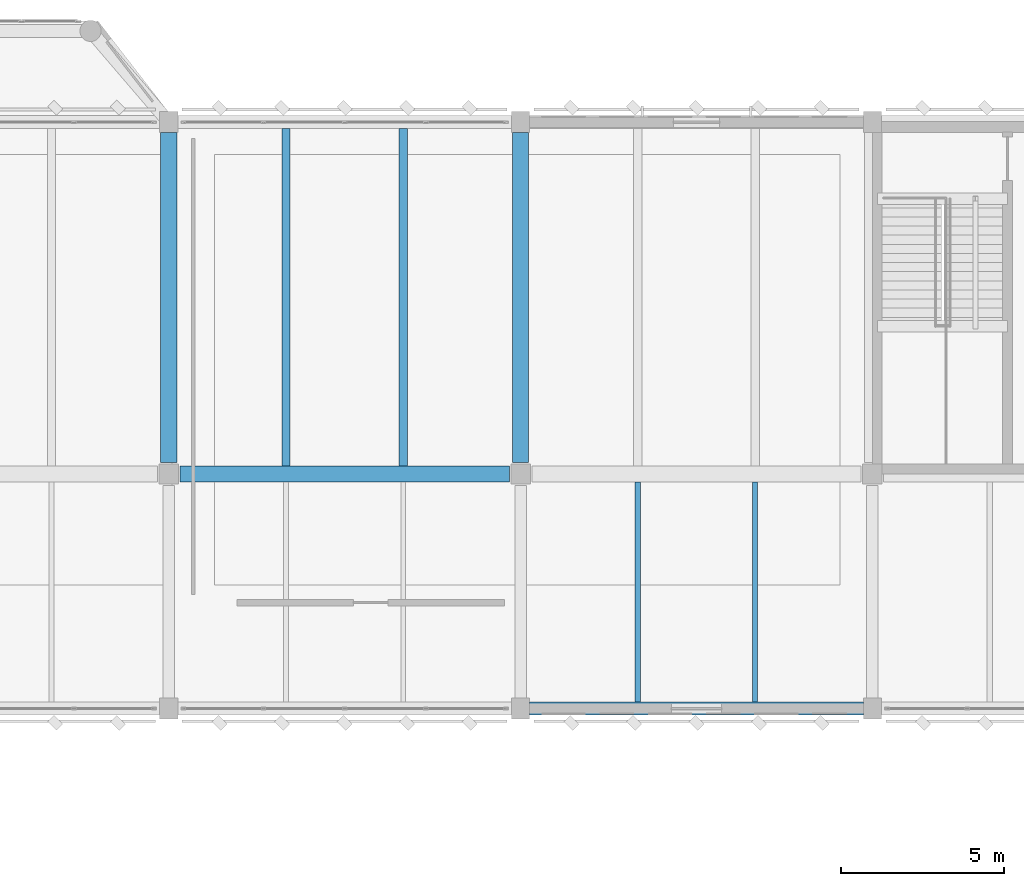
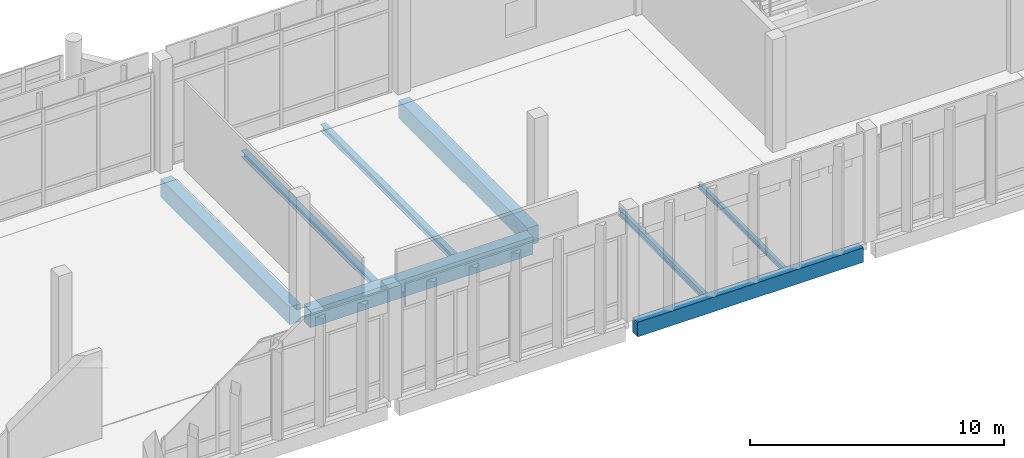
# One storey, part 73 of 180: 8 beams.
"""IFC4 building model written with IfcOpenShell, lengths in metres."""

from ifc_helpers import new_model, si_unit, direction, frame, origin, origin_2d, place, context, subcontext, project, spatial, rectangle, i_section, extrude, material, material_profile, profile_set, type_object, element, save


model = new_model("IFC4")

# Units and contexts
model_context = context("Model", 3, precision=1e-05, world=origin(), true_north=direction((0.0, 1.0)))
body_context = subcontext(model_context, "Body", "Model", "MODEL_VIEW")
ifc_project = project(units=[si_unit("LENGTHUNIT", "METRE"), si_unit("AREAUNIT", "SQUARE_METRE"), si_unit("VOLUMEUNIT", "CUBIC_METRE"), si_unit("PLANEANGLEUNIT", "RADIAN"), si_unit("MASSUNIT", "GRAM", prefix="KILO")], contexts=[model_context])

# Site, building, storey
site_placement = place(None, origin())
site = spatial("IfcSite", under=ifc_project, at=site_placement, CompositionType="ELEMENT")
building_placement = place(site_placement, origin())
building = spatial("IfcBuilding", under=site, at=building_placement, Name="Lusvemor Sports Hall", CompositionType="ELEMENT")
storey_placement = place(building_placement, frame((0.0, 0.0, 5.39990234375)))
storey = spatial("IfcBuildingStorey", under=building, at=storey_placement, Name="L01", CompositionType="ELEMENT", Elevation=5.39990234375)

# Beams
ifc_material_1 = material(Name="Concrete C40/50", Category="concrete")
ifc_material_profile_1 = material_profile(ifc_material_1, rectangle(XDim=0.5, YDim=0.85009765625, at=origin_2d()), Name="RC500x850")
ifc_profile_set_1 = profile_set([ifc_material_profile_1], Name="Concrete C40/50")
beam_type_1 = type_object("IfcBeamType", Name="GIRD_RC_850", PredefinedType="T_BEAM", material=ifc_profile_set_1)
beam_1_placement = place(storey_placement, frame((32.74609375, 104.39990234375, -0.684814453125), z_axis=(1.0, 0.0, 0.0), x_axis=(0.0, 1.0, 0.0)))
element("IfcBeam", 1, at=beam_1_placement, inside=storey, type_object=beam_type_1, Name="Beam L01 P:4-5", PredefinedType="T_BEAM", context=body_context, shape_type="SweptSolid", body=[
    extrude(rectangle(XDim=0.5, YDim=0.85009765625, at=origin_2d()), origin(), (0.0, 0.0, 1.0), 10.10791015625),
])
for number, where, z_axis, x_axis, name in (
    (2, (32.39990234375, 104.74609375, -0.684814453125), (0.0, 1.0, 0.0), (-1.0, 0.0, 0.0), "Beam L01 4:P-Q"),
    (3, (43.199951171875, 104.74609375, -0.684814453125), (0.0, 1.0, 0.0), (-1.0, 0.0, 0.0), "Beam L01 5:P-Q"),
):
    element("IfcBeam", number, at=place(storey_placement, frame(where, z_axis=z_axis, x_axis=x_axis)), inside=storey, type_object=beam_type_1, Name=name, PredefinedType="T_BEAM", context=body_context, shape_type="SweptSolid", body=[
        extrude(rectangle(XDim=0.5, YDim=0.85009765625, at=origin_2d()), origin(), (0.0, 0.0, 1.0), 10.137939453125),
    ])
ifc_material_2 = material(Name="Steel S355", Category="steel")
ifc_material_profile_2 = material_profile(ifc_material_2, i_section(OverallWidth=0.14794921875, OverallDepth=0.26611328125, WebThickness=0.007568359375, FlangeThickness=0.012939453125, FilletRadius=0.012939453125, at=origin_2d()), Name="W250x44.8")
ifc_profile_set_2 = profile_set([ifc_material_profile_2], Name="Steel S355")
beam_type_2 = type_object("IfcBeamType", Name="JOIST_ST_250M", PredefinedType="JOIST", material=ifc_profile_set_2)
beam_2_placement = place(storey_placement, frame((50.39990234375, 97.39599609375, -0.39697265625), z_axis=(0.0, 1.0, 0.0), x_axis=(-1.0, 0.0, 0.0)))
element("IfcBeam", 4, at=beam_2_placement, inside=storey, type_object=beam_type_2, Name="Secondary Joist L01 5-6/N-P #2", PredefinedType="JOIST", context=body_context, shape_type="SweptSolid", body=[
    extrude(i_section(OverallWidth=0.14794921875, OverallDepth=0.26611328125, WebThickness=0.007568359375, FlangeThickness=0.012939453125, FilletRadius=0.012939453125, at=origin_2d()), origin(), (0.0, 0.0, 1.0), 6.758056640625),
])
ifc_material_3 = material(Name="Steel S355", Category="steel")
ifc_material_profile_3 = material_profile(ifc_material_3, i_section(OverallWidth=0.25390625, OverallDepth=0.305908203125, WebThickness=0.0087890625, FlangeThickness=0.0146484375, FilletRadius=0.014892578125, at=origin_2d()), Name="W310x79.0")
ifc_profile_set_3 = profile_set([ifc_material_profile_3], Name="Steel S355")
beam_type_3 = type_object("IfcBeamType", Name="JOIST_ST_310H", PredefinedType="JOIST", material=ifc_profile_set_3)
for number, where, z_axis, x_axis, name in (
    (5, (36.0, 104.64599609375, -0.4169921875), (0.0, 1.0, 0.0), (-1.0, 0.0, 0.0), "Secondary Joist L01 4-5/P-Q #1"),
    (6, (39.60009765625, 104.64599609375, -0.4169921875), (0.0, 1.0, 0.0), (-1.0, 0.0, 0.0), "Secondary Joist L01 4-5/P-Q #2"),
):
    element("IfcBeam", number, at=place(storey_placement, frame(where, z_axis=z_axis, x_axis=x_axis)), inside=storey, type_object=beam_type_3, Name=name, PredefinedType="JOIST", context=body_context, shape_type="SweptSolid", body=[
        extrude(i_section(OverallWidth=0.25390625, OverallDepth=0.305908203125, WebThickness=0.0087890625, FlangeThickness=0.0146484375, FilletRadius=0.014892578125, at=origin_2d()), origin(), (0.0, 0.0, 1.0), 10.35791015625),
    ])
ifc_material_4 = material(Name="Steel S355", Category="steel")
ifc_material_profile_4 = material_profile(ifc_material_4, i_section(OverallWidth=0.1669921875, OverallDepth=0.31689453125, WebThickness=0.007568359375, FlangeThickness=0.01318359375, FilletRadius=0.014892578125, at=origin_2d()), Name="W310x52.0")
ifc_profile_set_4 = profile_set([ifc_material_profile_4], Name="Steel S355")
beam_type_4 = type_object("IfcBeamType", Name="JOIST_ST_310M", PredefinedType="JOIST", material=ifc_profile_set_4)
beam_3_placement = place(storey_placement, frame((46.800048828125, 97.39599609375, -0.42236328125), z_axis=(0.0, 1.0, 0.0), x_axis=(-1.0, 0.0, 0.0)))
element("IfcBeam", 7, at=beam_3_placement, inside=storey, type_object=beam_type_4, Name="Secondary Joist L01 5-6/N-P #1", PredefinedType="JOIST", context=body_context, shape_type="SweptSolid", body=[
    extrude(i_section(OverallWidth=0.1669921875, OverallDepth=0.31689453125, WebThickness=0.007568359375, FlangeThickness=0.01318359375, FilletRadius=0.014892578125, at=origin_2d()), origin(), (0.0, 0.0, 1.0), 6.758056640625),
])
ifc_material_5 = material(Name="Concrete C40/50", Category="concrete")
ifc_material_profile_5 = material_profile(ifc_material_5, rectangle(XDim=0.39990234375, YDim=0.699951171875, at=origin_2d()), Name="RC400x700")
ifc_profile_set_5 = profile_set([ifc_material_profile_5], Name="Concrete C40/50")
beam_type_5 = type_object("IfcBeamType", Name="SPAND_EXT_700", PredefinedType="SPANDREL", material=ifc_profile_set_5)
beam_4_placement = place(storey_placement, frame((43.47607421875, 97.199951171875, -0.60986328125), z_axis=(1.0, 0.0, 0.0), x_axis=(0.0, 1.0, 0.0)))
element("IfcBeam", 8, at=beam_4_placement, inside=storey, type_object=beam_type_5, Name="Beam L01 N:5-6", PredefinedType="SPANDREL", context=body_context, shape_type="SweptSolid", body=[
    extrude(rectangle(XDim=0.39990234375, YDim=0.699951171875, at=origin_2d()), origin(), (0.0, 0.0, 1.0), 10.248046875),
])

save(model, "model.ifc")
